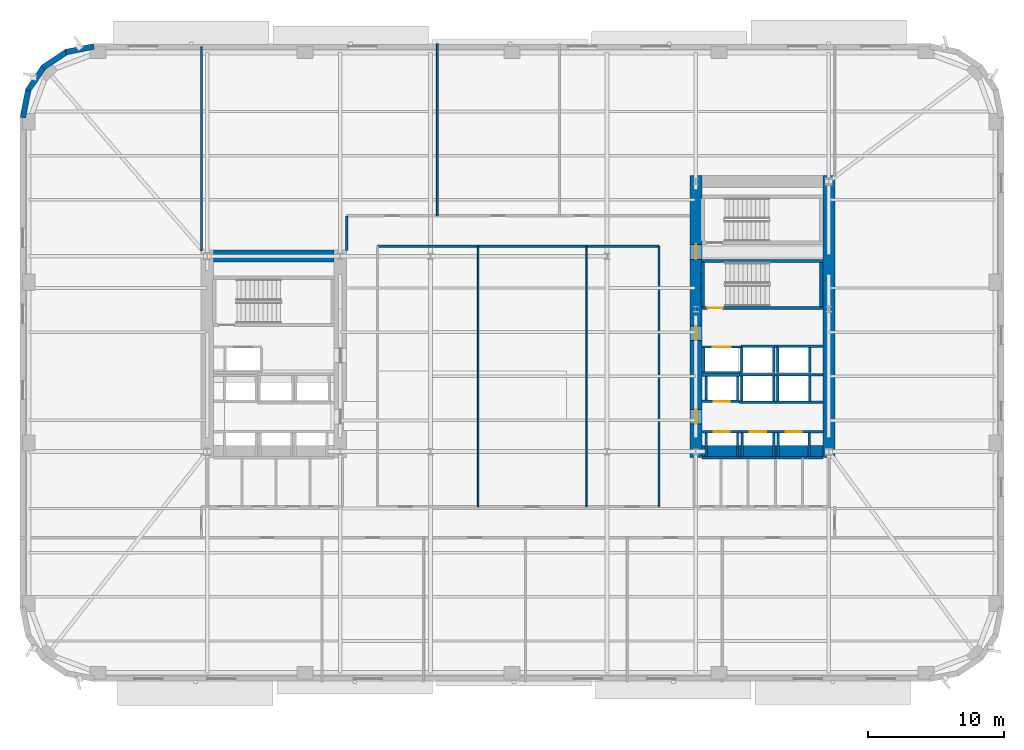
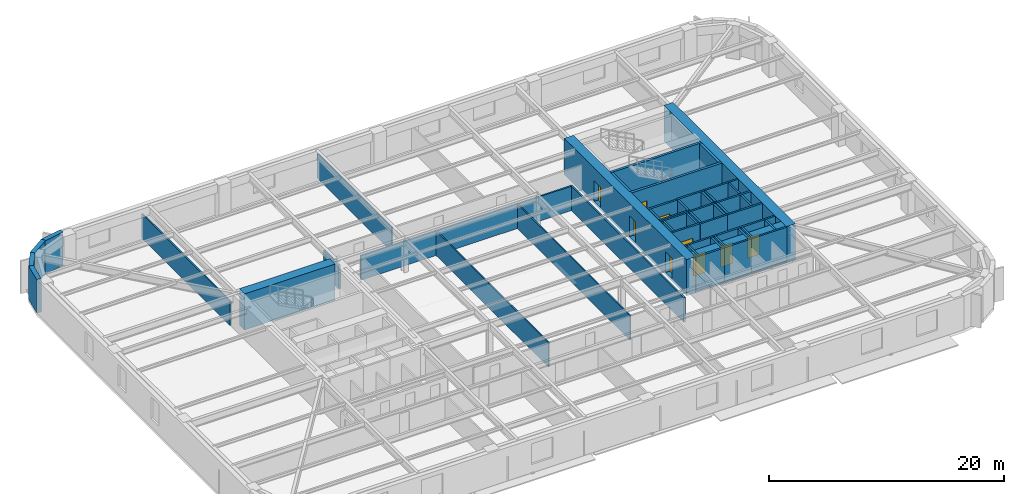
# One storey, part 6 of 15: 52 walls, 9 doors, 9 openings.
"""IFC4 building model written with IfcOpenShell, lengths in metres."""

from ifc_helpers import new_model, si_unit, direction, frame, frame_2d, origin, place, context, subcontext, project, spatial, rectangle, extrude, material, layer, layer_set, type_object, element, fill, save


model = new_model("IFC4")

# Units and contexts
model_context = context("Model", 3, precision=1e-05, world=origin(), true_north=direction((0.0, 1.0)))
body_context = subcontext(model_context, "Body", "Model", "MODEL_VIEW")
ifc_project = project(units=[si_unit("LENGTHUNIT", "METRE"), si_unit("AREAUNIT", "SQUARE_METRE"), si_unit("VOLUMEUNIT", "CUBIC_METRE"), si_unit("PLANEANGLEUNIT", "RADIAN"), si_unit("MASSUNIT", "GRAM", prefix="KILO")], contexts=[model_context])

# Site, building, storey
site_placement = place(None, origin())
site = spatial("IfcSite", under=ifc_project, at=site_placement, CompositionType="ELEMENT")
building_placement = place(site_placement, origin())
building = spatial("IfcBuilding", under=site, at=building_placement, Name="Kolvaren Arena Tower", CompositionType="ELEMENT")
storey_placement = place(building_placement, frame((0.0, 0.0, 72.0)))
storey = spatial("IfcBuildingStorey", under=building, at=storey_placement, Name="L15", CompositionType="ELEMENT", Elevation=72.0)

# Walls
ifc_material_1 = material(Name="Gypsum board acoustic assembly", Category="gypsum")
ifc_layer_1 = layer(ifc_material_1, 0.159912109375)
ifc_layer_set_1 = layer_set([ifc_layer_1], Name="Gypsum board acoustic assembly")
wall_type_1 = type_object("IfcWallType", Name="CORR-160", PredefinedType="PARTITIONING", material=ifc_layer_set_1)
wall_1_placement = place(storey_placement, frame((24.820068359375, 34.25, 0.0), z_axis=(0.0, 0.0, 1.0), x_axis=(0.0, 1.0, 0.0)))
element("IfcWall", 1, at=wall_1_placement, inside=storey, type_object=wall_type_1, Name="Interior Partition Wall (L15)", PredefinedType="PARTITIONING", context=body_context, shape_type="SweptSolid", body=[
    extrude(rectangle(XDim=2.570068359375, YDim=0.159912109375, at=frame_2d((1.28515625, 0.0))), origin(), (0.0, 0.0, 1.0), 2.5400390625),
])
wall_2_placement = place(storey_placement, frame((27.080078125, 34.580078125, 0.0), z_axis=(0.0, 0.0, 1.0), x_axis=(1.0, 0.0, 0.0)))
element("IfcWall", 2, at=wall_2_placement, inside=storey, type_object=wall_type_1, Name="Interior Partition Wall (L15)", PredefinedType="PARTITIONING", context=body_context, shape_type="SweptSolid", body=[
    extrude(rectangle(XDim=20.739990234375, YDim=0.159912109375, at=frame_2d((10.3701171875, 0.0))), origin(), (0.0, 0.0, 1.0), 2.5400390625),
])
wall_3_placement = place(storey_placement, frame((47.820068359375, 15.3798828125, 0.0), z_axis=(0.0, 0.0, 1.0), x_axis=(0.0, 1.0, 0.0)))
element("IfcWall", 3, at=wall_3_placement, inside=storey, type_object=wall_type_1, Name="Interior Partition Wall (L15)", PredefinedType="PARTITIONING", context=body_context, shape_type="SweptSolid", body=[
    extrude(rectangle(XDim=19.2001953125, YDim=0.159912109375, at=frame_2d((9.60009765625, 0.0))), origin(), (0.0, 0.0, 1.0), 2.5400390625),
])
ifc_material_2 = material(Name="Concrete 80 MPa", Category="concrete")
ifc_layer_2 = layer(ifc_material_2, 0.89990234375)
ifc_layer_set_2 = layer_set([ifc_layer_2], Name="Concrete 80 MPa")
wall_type_2 = type_object("IfcWallType", Name="CWALL-900", PredefinedType="SHEAR", material=ifc_layer_set_2)
wall_4_placement = place(storey_placement, frame((15.0, 33.85009765625, -0.27001953125), z_axis=(0.0, 0.0, 1.0), x_axis=(1.0, 0.0, 0.0)))
element("IfcWall", 4, at=wall_4_placement, inside=storey, type_object=wall_type_2, Name="Core Shear Wall WC-NORTH (L15)", PredefinedType="SHEAR", context=body_context, shape_type="SweptSolid", body=[
    extrude(rectangle(XDim=8.89990234375, YDim=0.89990234375, at=frame_2d((4.449951171875, 0.0))), origin(), (0.0, 0.0, 1.0), 3.75),
])

# Wall, openings, doors
wall_5_placement = place(storey_placement, frame((50.550048828125, 19.0, -0.27001953125), z_axis=(0.0, 0.0, 1.0), x_axis=(0.0, 1.0, 0.0)))
wall_5 = element("IfcWall", 5, at=wall_5_placement, inside=storey, type_object=wall_type_2, Name="Core Shear Wall EC-WEST (L15)", PredefinedType="SHEAR", context=body_context, shape_type="SweptSolid", body=[
    extrude(rectangle(XDim=20.800048828125, YDim=0.89990234375, at=frame_2d((10.39990234375, 0.0))), origin(), (0.0, 0.0, 1.0), 3.75),
])
opening_1_placement = place(wall_5_placement, frame((2.5, 0.0, 0.27001953125)))
opening_1 = element("IfcOpeningElement", 6, at=opening_1_placement, cuts=wall_5, Name="Opening D04", PredefinedType="OPENING", context=body_context, shape_type="SweptSolid", body=[
    extrude(rectangle(XDim=1.050048828125, YDim=2.14990234375, at=frame_2d((0.52490234375, 1.074951171875))), frame((0.0, 0.4599609375, 0.0), z_axis=(0.0, -1.0, 0.0), x_axis=(1.0, 0.0, 0.0)), (0.0, 0.0, 1.0), 0.919921875),
])
opening_2_placement = place(wall_5_placement, frame((8.64990234375, 0.0, 0.27001953125)))
opening_2 = element("IfcOpeningElement", 7, at=opening_2_placement, cuts=wall_5, Name="Opening D04", PredefinedType="OPENING", context=body_context, shape_type="SweptSolid", body=[
    extrude(rectangle(XDim=1.050048828125, YDim=2.14990234375, at=frame_2d((0.52490234375, 1.074951171875))), frame((0.0, 0.4599609375, 0.0), z_axis=(0.0, -1.0, 0.0), x_axis=(1.0, 0.0, 0.0)), (0.0, 0.0, 1.0), 0.919921875),
])
opening_3_placement = place(wall_5_placement, frame((14.6201171875, 0.0, 0.27001953125)))
opening_3 = element("IfcOpeningElement", 8, at=opening_3_placement, cuts=wall_5, Name="Opening D03", PredefinedType="OPENING", context=body_context, shape_type="SweptSolid", body=[
    extrude(rectangle(XDim=1.10009765625, YDim=2.14990234375, at=frame_2d((0.550048828125, 1.074951171875))), frame((0.0, 0.4599609375, 0.0), z_axis=(0.0, -1.0, 0.0), x_axis=(1.0, 0.0, 0.0)), (0.0, 0.0, 1.0), 0.919921875),
])
ifc_material_3 = material(Name="Fire-rated steel lobby door", Category="steel")
door_type_1 = type_object("IfcDoorType", Name="DOOR-FF-105", OperationType="NOTDEFINED", PredefinedType="DOOR", material=ifc_material_3)
door_1_placement = place(opening_1_placement, origin())
door_1 = element("IfcDoor", 9, at=door_1_placement, inside=storey, type_object=door_type_1, Name="East Lift Lobby Fire Door (L15)", OperationType="SINGLE_SWING_RIGHT", OverallHeight=2.14990234375, OverallWidth=1.050048828125, PredefinedType="DOOR", context=body_context, shape_type="SweptSolid", body=[
    extrude(rectangle(XDim=1.050048828125, YDim=2.14990234375, at=frame_2d((0.52490234375, 1.074951171875))), frame((0.0, 0.02490234375, 0.0), z_axis=(0.0, -1.0, 0.0), x_axis=(1.0, 0.0, 0.0)), (0.0, 0.0, 1.0), 0.050048828125),
])
fill(opening_1, door_1)
door_2_placement = place(opening_2_placement, origin())
door_2 = element("IfcDoor", 10, at=door_2_placement, inside=storey, type_object=door_type_1, Name="East Firefighter Vestibule Door (L15)", OperationType="SINGLE_SWING_LEFT", OverallHeight=2.14990234375, OverallWidth=1.050048828125, PredefinedType="DOOR", context=body_context, shape_type="SweptSolid", body=[
    extrude(rectangle(XDim=1.050048828125, YDim=2.14990234375, at=frame_2d((0.52490234375, 1.074951171875))), frame((0.0, 0.02490234375, 0.0), z_axis=(0.0, -1.0, 0.0), x_axis=(1.0, 0.0, 0.0)), (0.0, 0.0, 1.0), 0.050048828125),
])
fill(opening_2, door_2)
ifc_material_4 = material(Name="Fire-rated steel exit stair door", Category="steel")
door_type_2 = type_object("IfcDoorType", Name="DOOR-ST-110", OperationType="NOTDEFINED", PredefinedType="DOOR", material=ifc_material_4)
door_3_placement = place(opening_3_placement, origin())
door_3 = element("IfcDoor", 11, at=door_3_placement, inside=storey, type_object=door_type_2, Name="Stair ST-E2 Vestibule Fire Door (L15)", OperationType="SINGLE_SWING_LEFT", OverallHeight=2.14990234375, OverallWidth=1.10009765625, PredefinedType="DOOR", context=body_context, shape_type="SweptSolid", body=[
    extrude(rectangle(XDim=1.10009765625, YDim=2.14990234375, at=frame_2d((0.550048828125, 1.074951171875))), frame((0.0, 0.02490234375, 0.0), z_axis=(0.0, -1.0, 0.0), x_axis=(1.0, 0.0, 0.0)), (0.0, 0.0, 1.0), 0.050048828125),
])
fill(opening_3, door_3)

# Walls
wall_6_placement = place(storey_placement, frame((60.35009765625, 19.0, -0.27001953125), z_axis=(0.0, 0.0, 1.0), x_axis=(0.0, 1.0, 0.0)))
element("IfcWall", 12, at=wall_6_placement, inside=storey, type_object=wall_type_2, Name="Core Shear Wall EC-EAST (L15)", PredefinedType="SHEAR", context=body_context, shape_type="SweptSolid", body=[
    extrude(rectangle(XDim=20.800048828125, YDim=0.89990234375, at=frame_2d((10.39990234375, 0.0))), origin(), (0.0, 0.0, 1.0), 3.75),
])
wall_7_placement = place(storey_placement, frame((51.0, 19.449951171875, -0.27001953125), z_axis=(0.0, 0.0, 1.0), x_axis=(1.0, 0.0, 0.0)))
element("IfcWall", 13, at=wall_7_placement, inside=storey, type_object=wall_type_2, Name="Core Shear Wall EC-SOUTH (L15)", PredefinedType="SHEAR", context=body_context, shape_type="SweptSolid", body=[
    extrude(rectangle(XDim=8.89990234375, YDim=0.89990234375, at=frame_2d((4.449951171875, 0.0))), origin(), (0.0, 0.0, 1.0), 3.75),
])
ifc_material_5 = material(Name="Precast concrete C50/60", Category="concrete")
ifc_layer_3 = layer(ifc_material_5, 0.419921875)
ifc_layer_set_3 = layer_set([ifc_layer_3], Name="Precast concrete C50/60")
wall_type_3 = type_object("IfcWallType", Name="EXT-PIER1", PredefinedType="SOLIDWALL", material=ifc_layer_set_3)
for number, where, z_axis, x_axis, name in (
    (14, (4.12451171875, 48.8828125, 0.0), (0.0, 0.0, 1.0), (0.9807762837, 0.195135546048, 0.0), "Exterior Precast Masonry-Frame Wall (L15)"),
    (15, (2.4482421875, 47.743896484375, 0.0), (0.0, 0.0, 1.0), (0.831515102434, 0.555502146192, 0.0), "Exterior Precast Masonry-Frame Wall (L15)"),
    (16, (1.335693359375, 46.0498046875, 0.0), (0.0, 0.0, 1.0), (0.555502146192, 0.831515102434, 0.0), "Exterior Precast Masonry-Frame Wall (L15)"),
    (17, (0.9560546875, 44.05908203125, 0.0), (0.0, 0.0, 1.0), (0.195135546048, 0.9807762837, 0.0), "Exterior Precast Masonry-Frame Wall (L15)"),
):
    element("IfcWall", number, at=place(storey_placement, frame(where, z_axis=z_axis, x_axis=x_axis)), inside=storey, type_object=wall_type_3, Name=name, PredefinedType="SOLIDWALL", context=body_context, shape_type="SweptSolid", body=[
        extrude(rectangle(XDim=2.10693359375, YDim=0.419921875, at=frame_2d((1.053466796875, 0.0))), origin(), (0.0, 0.0, 1.0), 3.47998046875),
    ])
ifc_material_6 = material(Name="Gypsum board partition assembly", Category="gypsum")
ifc_layer_4 = layer(ifc_material_6, 0.114990234375)
ifc_layer_set_4 = layer_set([ifc_layer_4], Name="Gypsum board partition assembly")
wall_type_4 = type_object("IfcWallType", Name="PART-115", PredefinedType="PARTITIONING", material=ifc_layer_set_4)
for number, where, z_axis, x_axis, name in (
    (18, (34.5, 15.3798828125, 0.0), (0.0, 0.0, 1.0), (0.0, 1.0, 0.0), "Interior Partition Wall (L15)"),
    (19, (42.5, 15.3798828125, 0.0), (0.0, 0.0, 1.0), (0.0, 1.0, 0.0), "Interior Partition Wall (L15)"),
):
    element("IfcWall", number, at=place(storey_placement, frame(where, z_axis=z_axis, x_axis=x_axis)), inside=storey, type_object=wall_type_4, Name=name, PredefinedType="PARTITIONING", context=body_context, shape_type="SweptSolid", body=[
        extrude(rectangle(XDim=19.2001953125, YDim=0.114990234375, at=frame_2d((9.60009765625, 0.0))), origin(), (0.0, 0.0, 1.0), 2.5400390625),
    ])
ifc_layer_5 = layer(ifc_material_6, 0.135009765625)
ifc_layer_set_5 = layer_set([ifc_layer_5], Name="Gypsum board partition assembly")
wall_type_5 = type_object("IfcWallType", Name="PART-135", PredefinedType="PARTITIONING", material=ifc_layer_set_5)
wall_8_placement = place(storey_placement, frame((31.5, 36.820068359375, 0.0), z_axis=(0.0, 0.0, 1.0), x_axis=(0.0, 1.0, 0.0)))
element("IfcWall", 20, at=wall_8_placement, inside=storey, type_object=wall_type_5, Name="Interior Partition Wall (L15)", PredefinedType="PARTITIONING", context=body_context, shape_type="SweptSolid", body=[
    extrude(rectangle(XDim=12.679931640625, YDim=0.135009765625, at=frame_2d((6.33984375, 0.0))), origin(), (0.0, 0.0, 1.0), 2.5400390625),
])
wall_9_placement = place(storey_placement, frame((14.1201171875, 34.25, 0.0), z_axis=(0.0, 0.0, 1.0), x_axis=(0.0, 1.0, 0.0)))
element("IfcWall", 21, at=wall_9_placement, inside=storey, type_object=wall_type_5, Name="Interior Partition Wall (L15)", PredefinedType="PARTITIONING", context=body_context, shape_type="SweptSolid", body=[
    extrude(rectangle(XDim=15.010009765625, YDim=0.135009765625, at=frame_2d((7.5048828125, 0.0))), origin(), (0.0, 0.0, 1.0), 2.5400390625),
])

# Wall, opening, door
ifc_material_7 = material(Name="Concrete 45 MPa", Category="concrete")
ifc_layer_6 = layer(ifc_material_7, 0.25)
ifc_layer_set_6 = layer_set([ifc_layer_6], Name="Concrete 45 MPa")
wall_type_6 = type_object("IfcWallType", Name="SHAFT-250", PredefinedType="SOLIDWALL", material=ifc_layer_set_6)
wall_10_placement = place(storey_placement, frame((59.89990234375, 30.030029296875, 0.0), z_axis=(0.0, 0.0, 1.0), x_axis=(-1.0, 0.0, 0.0)))
wall_10 = element("IfcWall", 22, at=wall_10_placement, inside=storey, type_object=wall_type_6, Name="Core Shaft Wall (L15)", PredefinedType="SOLIDWALL", context=body_context, shape_type="SweptSolid", body=[
    extrude(rectangle(XDim=8.89990234375, YDim=0.239990234375, at=frame_2d((4.449951171875, 0.0))), origin(), (0.0, 0.0, 1.0), 3.47998046875),
])
opening_4_placement = place(wall_10_placement, frame((7.3798828125, 0.0, 0.0)))
opening_4 = element("IfcOpeningElement", 23, at=opening_4_placement, cuts=wall_10, Name="Opening D03", PredefinedType="OPENING", context=body_context, shape_type="SweptSolid", body=[
    extrude(rectangle(XDim=1.10009765625, YDim=2.14990234375, at=frame_2d((0.550048828125, 1.074951171875))), frame((0.0, 0.1298828125, 0.0), z_axis=(0.0, -1.0, 0.0), x_axis=(1.0, 0.0, 0.0)), (0.0, 0.0, 1.0), 0.260009765625),
])
door_4_placement = place(opening_4_placement, origin())
door_4 = element("IfcDoor", 24, at=door_4_placement, inside=storey, type_object=door_type_2, Name="Stair ST-E1 Fire Door (L15)", OperationType="SINGLE_SWING_LEFT", OverallHeight=2.14990234375, OverallWidth=1.10009765625, PredefinedType="DOOR", context=body_context, shape_type="SweptSolid", body=[
    extrude(rectangle(XDim=1.10009765625, YDim=2.14990234375, at=frame_2d((0.550048828125, 1.074951171875))), frame((0.0, 0.02490234375, 0.0), z_axis=(0.0, -1.0, 0.0), x_axis=(1.0, 0.0, 0.0)), (0.0, 0.0, 1.0), 0.050048828125),
])
fill(opening_4, door_4)

# Walls
wall_11_placement = place(storey_placement, frame((51.0, 33.5, 0.0), z_axis=(0.0, 0.0, 1.0), x_axis=(1.0, 0.0, 0.0)))
element("IfcWall", 25, at=wall_11_placement, inside=storey, type_object=wall_type_6, Name="Core Shaft Wall (L15)", PredefinedType="SOLIDWALL", context=body_context, shape_type="SweptSolid", body=[
    extrude(rectangle(XDim=8.89990234375, YDim=0.239990234375, at=frame_2d((4.449951171875, 0.0))), origin(), (0.0, 0.0, 1.0), 3.47998046875),
])
for number, where, z_axis, x_axis, name in (
    (26, (51.06005859375, 30.14990234375, 0.0), (0.0, 0.0, 1.0), (0.0, 1.0, 0.0), "Core Shaft Wall (L15)"),
    (27, (59.780029296875, 30.14990234375, 0.0), (0.0, 0.0, 1.0), (0.0, 1.0, 0.0), "Core Shaft Wall (L15)"),
):
    element("IfcWall", number, at=place(storey_placement, frame(where, z_axis=z_axis, x_axis=x_axis)), inside=storey, type_object=wall_type_6, Name=name, PredefinedType="SOLIDWALL", context=body_context, shape_type="SweptSolid", body=[
        extrude(rectangle(XDim=3.22998046875, YDim=0.239990234375, at=frame_2d((1.614990234375, 0.0))), origin(), (0.0, 0.0, 1.0), 3.47998046875),
    ])

# Wall, opening, door
wall_12_placement = place(storey_placement, frame((51.0, 20.905029296875, 0.0), z_axis=(0.0, 0.0, 1.0), x_axis=(1.0, 0.0, 0.0)))
wall_12 = element("IfcWall", 28, at=wall_12_placement, inside=storey, type_object=wall_type_6, Name="Core Shaft Wall (L15)", PredefinedType="SOLIDWALL", context=body_context, shape_type="SweptSolid", body=[
    extrude(rectangle(XDim=2.7900390625, YDim=0.179931640625, at=frame_2d((1.39501953125, 0.0))), origin(), (0.0, 0.0, 1.0), 3.47998046875),
])
opening_5_placement = place(wall_12_placement, frame((0.860107421875, 0.0, 0.0)))
opening_5 = element("IfcOpeningElement", 29, at=opening_5_placement, cuts=wall_12, Name="Opening LD1", PredefinedType="OPENING", context=body_context, shape_type="SweptSolid", body=[
    extrude(rectangle(XDim=1.199951171875, YDim=2.199951171875, at=frame_2d((0.60009765625, 1.10009765625))), frame((0.0, 0.099853515625, 0.0), z_axis=(0.0, -1.0, 0.0), x_axis=(1.0, 0.0, 0.0)), (0.0, 0.0, 1.0), 0.199951171875),
])
ifc_material_8 = material(Name="Stainless steel passenger lift landing door", Category="steel")
door_type_3 = type_object("IfcDoorType", Name="DOOR-LD-120", OperationType="DOUBLE_DOOR_SLIDING", PredefinedType="DOOR", material=ifc_material_8)
door_5_placement = place(opening_5_placement, origin())
door_5 = element("IfcDoor", 30, at=door_5_placement, inside=storey, type_object=door_type_3, Name="Lift EL-LR1 Landing Door (L15)", OperationType="DOUBLE_DOOR_SLIDING", OverallHeight=2.199951171875, OverallWidth=1.199951171875, PredefinedType="DOOR", context=body_context, shape_type="SweptSolid", body=[
    extrude(rectangle(XDim=1.199951171875, YDim=2.199951171875, at=frame_2d((0.60009765625, 1.10009765625))), frame((0.0, 0.02490234375, 0.0), z_axis=(0.0, -1.0, 0.0), x_axis=(1.0, 0.0, 0.0)), (0.0, 0.0, 1.0), 0.050048828125),
])
fill(opening_5, door_5)

# Walls
wall_13_placement = place(storey_placement, frame((51.0, 18.9951171875, 0.0), z_axis=(0.0, 0.0, 1.0), x_axis=(1.0, 0.0, 0.0)))
element("IfcWall", 31, at=wall_13_placement, inside=storey, type_object=wall_type_6, Name="Core Shaft Wall (L15)", PredefinedType="SOLIDWALL", context=body_context, shape_type="SweptSolid", body=[
    extrude(rectangle(XDim=2.7900390625, YDim=0.179931640625, at=frame_2d((1.39501953125, 0.0))), origin(), (0.0, 0.0, 1.0), 3.47998046875),
])
for number, where, z_axis, x_axis, name in (
    (32, (51.304931640625, 19.0849609375, 0.0), (0.0, 0.0, 1.0), (0.0, 1.0, 0.0), "Core Shaft Wall (L15)"),
    (33, (53.614990234375, 19.0849609375, 0.0), (0.0, 0.0, 1.0), (0.0, 1.0, 0.0), "Core Shaft Wall (L15)"),
):
    element("IfcWall", number, at=place(storey_placement, frame(where, z_axis=z_axis, x_axis=x_axis)), inside=storey, type_object=wall_type_6, Name=name, PredefinedType="SOLIDWALL", context=body_context, shape_type="SweptSolid", body=[
        extrude(rectangle(XDim=1.72998046875, YDim=0.179931640625, at=frame_2d((0.864990234375, 0.0))), origin(), (0.0, 0.0, 1.0), 3.47998046875),
    ])

# Wall, opening, door
wall_14_placement = place(storey_placement, frame((53.7900390625, 20.905029296875, 0.0), z_axis=(0.0, 0.0, 1.0), x_axis=(1.0, 0.0, 0.0)))
wall_14 = element("IfcWall", 34, at=wall_14_placement, inside=storey, type_object=wall_type_6, Name="Core Shaft Wall (L15)", PredefinedType="SOLIDWALL", context=body_context, shape_type="SweptSolid", body=[
    extrude(rectangle(XDim=2.64990234375, YDim=0.179931640625, at=frame_2d((1.324951171875, 0.0))), origin(), (0.0, 0.0, 1.0), 3.47998046875),
])
opening_6_placement = place(wall_14_placement, frame((0.72998046875, 0.0, 0.0)))
opening_6 = element("IfcOpeningElement", 35, at=opening_6_placement, cuts=wall_14, Name="Opening LD1", PredefinedType="OPENING", context=body_context, shape_type="SweptSolid", body=[
    extrude(rectangle(XDim=1.199951171875, YDim=2.199951171875, at=frame_2d((0.60009765625, 1.10009765625))), frame((0.0, 0.099853515625, 0.0), z_axis=(0.0, -1.0, 0.0), x_axis=(1.0, 0.0, 0.0)), (0.0, 0.0, 1.0), 0.199951171875),
])
door_6_placement = place(opening_6_placement, origin())
door_6 = element("IfcDoor", 36, at=door_6_placement, inside=storey, type_object=door_type_3, Name="Lift EL-LR2 Landing Door (L15)", OperationType="DOUBLE_DOOR_SLIDING", OverallHeight=2.199951171875, OverallWidth=1.199951171875, PredefinedType="DOOR", context=body_context, shape_type="SweptSolid", body=[
    extrude(rectangle(XDim=1.199951171875, YDim=2.199951171875, at=frame_2d((0.60009765625, 1.10009765625))), frame((0.0, 0.02490234375, 0.0), z_axis=(0.0, -1.0, 0.0), x_axis=(1.0, 0.0, 0.0)), (0.0, 0.0, 1.0), 0.050048828125),
])
fill(opening_6, door_6)

# Walls
wall_15_placement = place(storey_placement, frame((53.7900390625, 18.9951171875, 0.0), z_axis=(0.0, 0.0, 1.0), x_axis=(1.0, 0.0, 0.0)))
element("IfcWall", 37, at=wall_15_placement, inside=storey, type_object=wall_type_6, Name="Core Shaft Wall (L15)", PredefinedType="SOLIDWALL", context=body_context, shape_type="SweptSolid", body=[
    extrude(rectangle(XDim=2.64990234375, YDim=0.179931640625, at=frame_2d((1.324951171875, 0.0))), origin(), (0.0, 0.0, 1.0), 3.47998046875),
])
for number, where, z_axis, x_axis, name in (
    (38, (53.965087890625, 19.0849609375, 0.0), (0.0, 0.0, 1.0), (0.0, 1.0, 0.0), "Core Shaft Wall (L15)"),
    (39, (56.27490234375, 19.0849609375, 0.0), (0.0, 0.0, 1.0), (0.0, 1.0, 0.0), "Core Shaft Wall (L15)"),
):
    element("IfcWall", number, at=place(storey_placement, frame(where, z_axis=z_axis, x_axis=x_axis)), inside=storey, type_object=wall_type_6, Name=name, PredefinedType="SOLIDWALL", context=body_context, shape_type="SweptSolid", body=[
        extrude(rectangle(XDim=1.72998046875, YDim=0.179931640625, at=frame_2d((0.864990234375, 0.0))), origin(), (0.0, 0.0, 1.0), 3.47998046875),
    ])

# Wall, opening, door
wall_16_placement = place(storey_placement, frame((56.43994140625, 20.905029296875, 0.0), z_axis=(0.0, 0.0, 1.0), x_axis=(1.0, 0.0, 0.0)))
wall_16 = element("IfcWall", 40, at=wall_16_placement, inside=storey, type_object=wall_type_6, Name="Core Shaft Wall (L15)", PredefinedType="SOLIDWALL", context=body_context, shape_type="SweptSolid", body=[
    extrude(rectangle(XDim=3.4599609375, YDim=0.179931640625, at=frame_2d((1.72998046875, 0.0))), origin(), (0.0, 0.0, 1.0), 3.47998046875),
])
opening_7_placement = place(wall_16_placement, frame((0.719970703125, 0.0, 0.0)))
opening_7 = element("IfcOpeningElement", 41, at=opening_7_placement, cuts=wall_16, Name="Opening LD1", PredefinedType="OPENING", context=body_context, shape_type="SweptSolid", body=[
    extrude(rectangle(XDim=1.199951171875, YDim=2.199951171875, at=frame_2d((0.60009765625, 1.10009765625))), frame((0.0, 0.099853515625, 0.0), z_axis=(0.0, -1.0, 0.0), x_axis=(1.0, 0.0, 0.0)), (0.0, 0.0, 1.0), 0.199951171875),
])
door_7_placement = place(opening_7_placement, origin())
door_7 = element("IfcDoor", 42, at=door_7_placement, inside=storey, type_object=door_type_3, Name="Lift EL-LR3 Landing Door (L15)", OperationType="DOUBLE_DOOR_SLIDING", OverallHeight=2.199951171875, OverallWidth=1.199951171875, PredefinedType="DOOR", context=body_context, shape_type="SweptSolid", body=[
    extrude(rectangle(XDim=1.199951171875, YDim=2.199951171875, at=frame_2d((0.60009765625, 1.10009765625))), frame((0.0, 0.02490234375, 0.0), z_axis=(0.0, -1.0, 0.0), x_axis=(1.0, 0.0, 0.0)), (0.0, 0.0, 1.0), 0.050048828125),
])
fill(opening_7, door_7)

# Walls
wall_17_placement = place(storey_placement, frame((56.43994140625, 18.9951171875, 0.0), z_axis=(0.0, 0.0, 1.0), x_axis=(1.0, 0.0, 0.0)))
element("IfcWall", 43, at=wall_17_placement, inside=storey, type_object=wall_type_6, Name="Core Shaft Wall (L15)", PredefinedType="SOLIDWALL", context=body_context, shape_type="SweptSolid", body=[
    extrude(rectangle(XDim=3.4599609375, YDim=0.179931640625, at=frame_2d((1.72998046875, 0.0))), origin(), (0.0, 0.0, 1.0), 3.47998046875),
])
for number, where, z_axis, x_axis, name in (
    (44, (56.60498046875, 19.0849609375, 0.0), (0.0, 0.0, 1.0), (0.0, 1.0, 0.0), "Core Shaft Wall (L15)"),
    (45, (58.9150390625, 19.0849609375, 0.0), (0.0, 0.0, 1.0), (0.0, 1.0, 0.0), "Core Shaft Wall (L15)"),
):
    element("IfcWall", number, at=place(storey_placement, frame(where, z_axis=z_axis, x_axis=x_axis)), inside=storey, type_object=wall_type_6, Name=name, PredefinedType="SOLIDWALL", context=body_context, shape_type="SweptSolid", body=[
        extrude(rectangle(XDim=1.72998046875, YDim=0.179931640625, at=frame_2d((0.864990234375, 0.0))), origin(), (0.0, 0.0, 1.0), 3.47998046875),
    ])
wall_18_placement = place(storey_placement, frame((51.0, 25.054931640625, 0.0), z_axis=(0.0, 0.0, 1.0), x_axis=(1.0, 0.0, 0.0)))
element("IfcWall", 46, at=wall_18_placement, inside=storey, type_object=wall_type_6, Name="Core Shaft Wall (L15)", PredefinedType="SOLIDWALL", context=body_context, shape_type="SweptSolid", body=[
    extrude(rectangle(XDim=2.777587890625, YDim=0.179931640625, at=frame_2d((1.388671875, 0.0))), origin(), (0.0, 0.0, 1.0), 3.47998046875),
])

# Wall, opening, door
wall_19_placement = place(storey_placement, frame((51.0, 23.14501953125, 0.0), z_axis=(0.0, 0.0, 1.0), x_axis=(1.0, 0.0, 0.0)))
wall_19 = element("IfcWall", 47, at=wall_19_placement, inside=storey, type_object=wall_type_6, Name="Core Shaft Wall (L15)", PredefinedType="SOLIDWALL", context=body_context, shape_type="SweptSolid", body=[
    extrude(rectangle(XDim=2.777587890625, YDim=0.179931640625, at=frame_2d((1.388671875, 0.0))), origin(), (0.0, 0.0, 1.0), 3.47998046875),
])
opening_8_placement = place(wall_19_placement, frame((0.860107421875, 0.0, 0.0)))
opening_8 = element("IfcOpeningElement", 48, at=opening_8_placement, cuts=wall_19, Name="Opening LD1", PredefinedType="OPENING", context=body_context, shape_type="SweptSolid", body=[
    extrude(rectangle(XDim=1.199951171875, YDim=2.199951171875, at=frame_2d((0.60009765625, 1.10009765625))), frame((0.0, 0.099853515625, 0.0), z_axis=(0.0, -1.0, 0.0), x_axis=(1.0, 0.0, 0.0)), (0.0, 0.0, 1.0), 0.199951171875),
])
door_8_placement = place(opening_8_placement, origin())
door_8 = element("IfcDoor", 49, at=door_8_placement, inside=storey, type_object=door_type_3, Name="Lift EL-LR4 Landing Door (L15)", OperationType="DOUBLE_DOOR_SLIDING", OverallHeight=2.199951171875, OverallWidth=1.199951171875, PredefinedType="DOOR", context=body_context, shape_type="SweptSolid", body=[
    extrude(rectangle(XDim=1.199951171875, YDim=2.199951171875, at=frame_2d((0.60009765625, 1.10009765625))), frame((0.0, 0.02490234375, 0.0), z_axis=(0.0, -1.0, 0.0), x_axis=(1.0, 0.0, 0.0)), (0.0, 0.0, 1.0), 0.050048828125),
])
fill(opening_8, door_8)

# Walls
for number, where, z_axis, x_axis, name in (
    (50, (51.304931640625, 23.235107421875, 0.0), (0.0, 0.0, 1.0), (0.0, 1.0, 0.0), "Core Shaft Wall (L15)"),
    (51, (53.614990234375, 23.235107421875, 0.0), (0.0, 0.0, 1.0), (0.0, 1.0, 0.0), "Core Shaft Wall (L15)"),
):
    element("IfcWall", number, at=place(storey_placement, frame(where, z_axis=z_axis, x_axis=x_axis)), inside=storey, type_object=wall_type_6, Name=name, PredefinedType="SOLIDWALL", context=body_context, shape_type="SweptSolid", body=[
        extrude(rectangle(XDim=1.72998046875, YDim=0.179931640625, at=frame_2d((0.864990234375, 0.0))), origin(), (0.0, 0.0, 1.0), 3.47998046875),
    ])
for number, where, z_axis, x_axis, name in (
    (52, (53.777587890625, 25.10498046875, 0.0), (0.0, 0.0, 1.0), (1.0, 0.0, 0.0), "Core Shaft Wall (L15)"),
    (53, (53.777587890625, 23.094970703125, 0.0), (0.0, 0.0, 1.0), (1.0, 0.0, 0.0), "Core Shaft Wall (L15)"),
):
    element("IfcWall", number, at=place(storey_placement, frame(where, z_axis=z_axis, x_axis=x_axis)), inside=storey, type_object=wall_type_6, Name=name, PredefinedType="SOLIDWALL", context=body_context, shape_type="SweptSolid", body=[
        extrude(rectangle(XDim=2.662353515625, YDim=0.179931640625, at=frame_2d((1.3310546875, 0.0))), origin(), (0.0, 0.0, 1.0), 3.47998046875),
    ])
for number, where, z_axis, x_axis, name in (
    (54, (53.93994140625, 23.18505859375, 0.0), (0.0, 0.0, 1.0), (0.0, 1.0, 0.0), "Core Shaft Wall (L15)"),
    (55, (56.300048828125, 23.18505859375, 0.0), (0.0, 0.0, 1.0), (0.0, 1.0, 0.0), "Core Shaft Wall (L15)"),
):
    element("IfcWall", number, at=place(storey_placement, frame(where, z_axis=z_axis, x_axis=x_axis)), inside=storey, type_object=wall_type_6, Name=name, PredefinedType="SOLIDWALL", context=body_context, shape_type="SweptSolid", body=[
        extrude(rectangle(XDim=1.829833984375, YDim=0.179931640625, at=frame_2d((0.9150390625, 0.0))), origin(), (0.0, 0.0, 1.0), 3.47998046875),
    ])
for number, where, z_axis, x_axis, name in (
    (56, (56.43994140625, 25.10498046875, 0.0), (0.0, 0.0, 1.0), (1.0, 0.0, 0.0), "Core Shaft Wall (L15)"),
    (57, (56.43994140625, 23.094970703125, 0.0), (0.0, 0.0, 1.0), (1.0, 0.0, 0.0), "Core Shaft Wall (L15)"),
):
    element("IfcWall", number, at=place(storey_placement, frame(where, z_axis=z_axis, x_axis=x_axis)), inside=storey, type_object=wall_type_6, Name=name, PredefinedType="SOLIDWALL", context=body_context, shape_type="SweptSolid", body=[
        extrude(rectangle(XDim=3.4599609375, YDim=0.179931640625, at=frame_2d((1.72998046875, 0.0))), origin(), (0.0, 0.0, 1.0), 3.47998046875),
    ])
for number, where, z_axis, x_axis, name in (
    (58, (56.580078125, 23.18505859375, 0.0), (0.0, 0.0, 1.0), (0.0, 1.0, 0.0), "Core Shaft Wall (L15)"),
    (59, (58.93994140625, 23.18505859375, 0.0), (0.0, 0.0, 1.0), (0.0, 1.0, 0.0), "Core Shaft Wall (L15)"),
):
    element("IfcWall", number, at=place(storey_placement, frame(where, z_axis=z_axis, x_axis=x_axis)), inside=storey, type_object=wall_type_6, Name=name, PredefinedType="SOLIDWALL", context=body_context, shape_type="SweptSolid", body=[
        extrude(rectangle(XDim=1.829833984375, YDim=0.179931640625, at=frame_2d((0.9150390625, 0.0))), origin(), (0.0, 0.0, 1.0), 3.47998046875),
    ])
wall_20_placement = place(storey_placement, frame((53.864990234375, 27.205078125, 0.0), z_axis=(0.0, 0.0, 1.0), x_axis=(1.0, 0.0, 0.0)))
element("IfcWall", 60, at=wall_20_placement, inside=storey, type_object=wall_type_6, Name="Core Shaft Wall (L15)", PredefinedType="SOLIDWALL", context=body_context, shape_type="SweptSolid", body=[
    extrude(rectangle(XDim=2.574951171875, YDim=0.179931640625, at=frame_2d((1.28759765625, 0.0))), origin(), (0.0, 0.0, 1.0), 3.47998046875),
])
for number, where, z_axis, x_axis, name in (
    (61, (53.93994140625, 25.284912109375, 0.0), (0.0, 0.0, 1.0), (0.0, 1.0, 0.0), "Core Shaft Wall (L15)"),
    (62, (56.300048828125, 25.284912109375, 0.0), (0.0, 0.0, 1.0), (0.0, 1.0, 0.0), "Core Shaft Wall (L15)"),
):
    element("IfcWall", number, at=place(storey_placement, frame(where, z_axis=z_axis, x_axis=x_axis)), inside=storey, type_object=wall_type_6, Name=name, PredefinedType="SOLIDWALL", context=body_context, shape_type="SweptSolid", body=[
        extrude(rectangle(XDim=1.830078125, YDim=0.179931640625, at=frame_2d((0.9150390625, 0.0))), origin(), (0.0, 0.0, 1.0), 3.47998046875),
    ])
wall_21_placement = place(storey_placement, frame((56.43994140625, 27.205078125, 0.0), z_axis=(0.0, 0.0, 1.0), x_axis=(1.0, 0.0, 0.0)))
element("IfcWall", 63, at=wall_21_placement, inside=storey, type_object=wall_type_6, Name="Core Shaft Wall (L15)", PredefinedType="SOLIDWALL", context=body_context, shape_type="SweptSolid", body=[
    extrude(rectangle(XDim=3.4599609375, YDim=0.179931640625, at=frame_2d((1.72998046875, 0.0))), origin(), (0.0, 0.0, 1.0), 3.47998046875),
])
for number, where, z_axis, x_axis, name in (
    (64, (56.580078125, 25.284912109375, 0.0), (0.0, 0.0, 1.0), (0.0, 1.0, 0.0), "Core Shaft Wall (L15)"),
    (65, (58.93994140625, 25.284912109375, 0.0), (0.0, 0.0, 1.0), (0.0, 1.0, 0.0), "Core Shaft Wall (L15)"),
):
    element("IfcWall", number, at=place(storey_placement, frame(where, z_axis=z_axis, x_axis=x_axis)), inside=storey, type_object=wall_type_6, Name=name, PredefinedType="SOLIDWALL", context=body_context, shape_type="SweptSolid", body=[
        extrude(rectangle(XDim=1.830078125, YDim=0.179931640625, at=frame_2d((0.9150390625, 0.0))), origin(), (0.0, 0.0, 1.0), 3.47998046875),
    ])

# Wall, opening, door
wall_22_placement = place(storey_placement, frame((51.0, 27.155029296875, 0.0), z_axis=(0.0, 0.0, 1.0), x_axis=(1.0, 0.0, 0.0)))
wall_22 = element("IfcWall", 66, at=wall_22_placement, inside=storey, type_object=wall_type_6, Name="Core Shaft Wall (L15)", PredefinedType="SOLIDWALL", context=body_context, shape_type="SweptSolid", body=[
    extrude(rectangle(XDim=2.864990234375, YDim=0.179931640625, at=frame_2d((1.4326171875, 0.0))), origin(), (0.0, 0.0, 1.0), 3.47998046875),
])
opening_9_placement = place(wall_22_placement, frame((0.784912109375, 0.0, 0.0)))
opening_9 = element("IfcOpeningElement", 67, at=opening_9_placement, cuts=wall_22, Name="Opening LD2", PredefinedType="OPENING", context=body_context, shape_type="SweptSolid", body=[
    extrude(rectangle(XDim=1.35009765625, YDim=2.300048828125, at=frame_2d((0.675048828125, 1.14990234375))), frame((0.0, 0.099853515625, 0.0), z_axis=(0.0, -1.0, 0.0), x_axis=(1.0, 0.0, 0.0)), (0.0, 0.0, 1.0), 0.199951171875),
])
ifc_material_9 = material(Name="Stainless steel firefighter lift landing door", Category="steel")
door_type_4 = type_object("IfcDoorType", Name="DOOR-LD-135", OperationType="DOUBLE_DOOR_SLIDING", PredefinedType="DOOR", material=ifc_material_9)
door_9_placement = place(opening_9_placement, origin())
door_9 = element("IfcDoor", 68, at=door_9_placement, inside=storey, type_object=door_type_4, Name="Firefighter Lift FF-E1 Landing Door (L15)", OperationType="DOUBLE_DOOR_SLIDING", OverallHeight=2.300048828125, OverallWidth=1.35009765625, PredefinedType="DOOR", context=body_context, shape_type="SweptSolid", body=[
    extrude(rectangle(XDim=1.35009765625, YDim=2.300048828125, at=frame_2d((0.675048828125, 1.14990234375))), frame((0.0, 0.02490234375, 0.0), z_axis=(0.0, -1.0, 0.0), x_axis=(1.0, 0.0, 0.0)), (0.0, 0.0, 1.0), 0.050048828125),
])
fill(opening_9, door_9)

# Walls
wall_23_placement = place(storey_placement, frame((51.0, 25.2451171875, 0.0), z_axis=(0.0, 0.0, 1.0), x_axis=(1.0, 0.0, 0.0)))
element("IfcWall", 69, at=wall_23_placement, inside=storey, type_object=wall_type_6, Name="Core Shaft Wall (L15)", PredefinedType="SOLIDWALL", context=body_context, shape_type="SweptSolid", body=[
    extrude(rectangle(XDim=2.864990234375, YDim=0.179931640625, at=frame_2d((1.4326171875, 0.0))), origin(), (0.0, 0.0, 1.0), 3.47998046875),
])
wall_24_placement = place(storey_placement, frame((51.1298828125, 25.3349609375, 0.0), z_axis=(0.0, 0.0, 1.0), x_axis=(0.0, 1.0, 0.0)))
element("IfcWall", 70, at=wall_24_placement, inside=storey, type_object=wall_type_6, Name="Core Shaft Wall (L15)", PredefinedType="SOLIDWALL", context=body_context, shape_type="SweptSolid", body=[
    extrude(rectangle(XDim=1.72998046875, YDim=0.179931640625, at=frame_2d((0.864990234375, 0.0))), origin(), (0.0, 0.0, 1.0), 3.47998046875),
])

save(model, "model.ifc")
